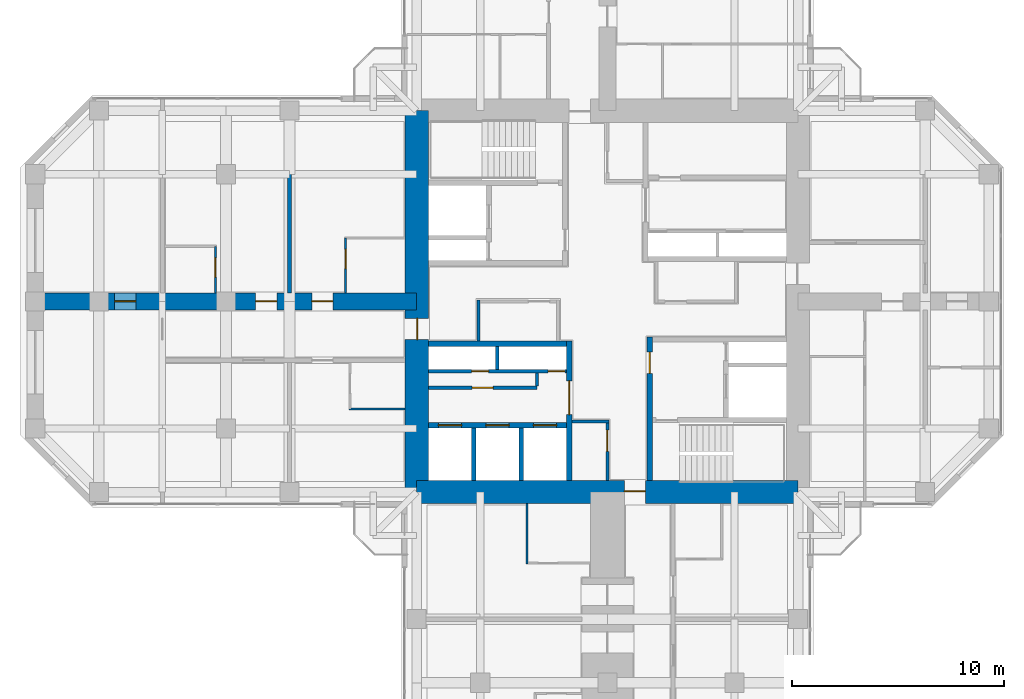
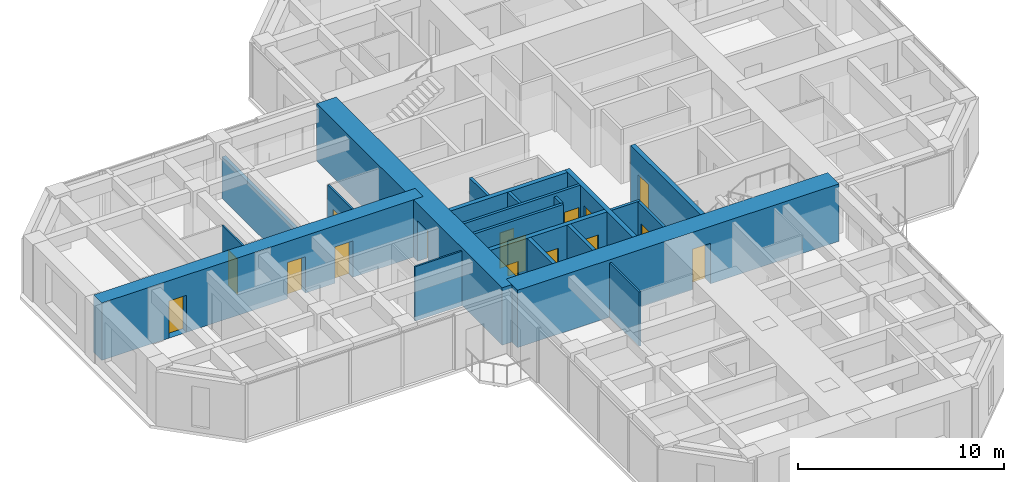
# One storey, part 9 of 14: 21 walls, 16 doors, 16 openings.
"""IFC4 building model written with IfcOpenShell, lengths in metres."""

from ifc_helpers import new_model, si_unit, direction, frame, frame_2d, origin, place, context, subcontext, project, spatial, rectangle, extrude, material, layer, layer_set, constituent, constituent_set, type_object, element, fill, save


model = new_model("IFC4")

# Units and contexts
model_context = context("Model", 3, precision=1e-05, world=origin(), true_north=direction((0.0, 1.0)))
body_context = subcontext(model_context, "Body", "Model", "MODEL_VIEW")
ifc_project = project(units=[si_unit("LENGTHUNIT", "METRE"), si_unit("AREAUNIT", "SQUARE_METRE"), si_unit("VOLUMEUNIT", "CUBIC_METRE"), si_unit("PLANEANGLEUNIT", "RADIAN"), si_unit("MASSUNIT", "GRAM", prefix="KILO")], contexts=[model_context])

# Site, building, storey
site_placement = place(None, origin())
site = spatial("IfcSite", under=ifc_project, at=site_placement, CompositionType="ELEMENT")
building_placement = place(site_placement, origin())
building = spatial("IfcBuilding", under=site, at=building_placement, Name="Torre Cruceta", CompositionType="ELEMENT")
storey_placement = place(building_placement, frame((0.0, 0.0, 210.300048828125)))
storey = spatial("IfcBuildingStorey", under=building, at=storey_placement, Name="L53", CompositionType="ELEMENT", Elevation=210.300048828125)

# Walls
ifc_material_1 = material(Name="Water-resistant plasterboard on steel studs", Category="steel")
ifc_layer_1 = layer(ifc_material_1, 0.10009765625)
ifc_layer_set_1 = layer_set([ifc_layer_1], Name="Water-resistant plasterboard on steel studs")
wall_type_1 = type_object("IfcWallType", Name="BATHROOM WALL 100", PredefinedType="PARTITIONING", material=ifc_layer_set_1)
wall_1_placement = place(storey_placement, frame((-3.800048828125, -9.550048828125, 0.0), z_axis=(0.0, 0.0, 1.0), x_axis=(0.0, -1.0, 0.0)))
element("IfcWall", 1, at=wall_1_placement, inside=storey, type_object=wall_type_1, Name="PT4 L53-S-U1RBB", PredefinedType="PARTITIONING", context=body_context, shape_type="SweptSolid", body=[
    extrude(rectangle(XDim=2.849853515625, YDim=0.10009765625, at=frame_2d((1.4248046875, 0.0))), origin(), (0.0, 0.0, 1.0), 3.219970703125),
])
wall_2_placement = place(storey_placement, frame((-9.550048828125, -5.074951171875, 0.0), z_axis=(0.0, 0.0, 1.0), x_axis=(-1.0, 0.0, 0.0)))
element("IfcWall", 2, at=wall_2_placement, inside=storey, type_object=wall_type_1, Name="PT4 L53-W-U1LBB", PredefinedType="PARTITIONING", context=body_context, shape_type="SweptSolid", body=[
    extrude(rectangle(XDim=2.64990234375, YDim=0.10009765625, at=frame_2d((1.324951171875, 0.0))), origin(), (0.0, 0.0, 1.0), 3.219970703125),
])

# Wall, opening, door
wall_3_placement = place(storey_placement, frame((-12.35009765625, 3.0, 0.0), z_axis=(0.0, 0.0, 1.0), x_axis=(0.0, -1.0, 0.0)))
wall_3 = element("IfcWall", 3, at=wall_3_placement, inside=storey, type_object=wall_type_1, Name="PT4 L53-W-U1RBS", PredefinedType="PARTITIONING", context=body_context, shape_type="SweptSolid", body=[
    extrude(rectangle(XDim=2.60009765625, YDim=0.10009765625, at=frame_2d((1.300048828125, 0.0))), origin(), (0.0, 0.0, 1.0), 3.219970703125),
])
opening_1_placement = place(wall_3_placement, frame((0.550048828125, 0.0, 0.0)))
opening_1 = element("IfcOpeningElement", 4, at=opening_1_placement, cuts=wall_3, Name="Opening D7", PredefinedType="OPENING", context=body_context, shape_type="SweptSolid", body=[
    extrude(rectangle(XDim=0.89990234375, YDim=2.10009765625, at=frame_2d((0.449951171875, 1.050048828125))), frame((0.0, 0.06005859375, 0.0), z_axis=(0.0, -1.0, 0.0), x_axis=(1.0, 0.0, 0.0)), (0.0, 0.0, 1.0), 0.1201171875),
])
ifc_material_2 = material(Name="Timber door", Category="wood")
door_type_1 = type_object("IfcDoorType", Name="BATHROOM DOOR 900X2100", OperationType="SINGLE_SWING_LEFT", PredefinedType="DOOR", material=ifc_material_2)
door_1_placement = place(opening_1_placement, origin())
door_1 = element("IfcDoor", 5, at=door_1_placement, inside=storey, type_object=door_type_1, Name="D7 L53-W-U1RBS-D1", OperationType="SINGLE_SWING_LEFT", OverallHeight=2.10009765625, OverallWidth=0.89990234375, PredefinedType="DOOR", context=body_context, shape_type="SweptSolid", body=[
    extrude(rectangle(XDim=0.89990234375, YDim=2.10009765625, at=frame_2d((0.449951171875, 1.050048828125))), frame((0.0, 0.02490234375, 0.0), z_axis=(0.0, -1.0, 0.0), x_axis=(1.0, 0.0, 0.0)), (0.0, 0.0, 1.0), 0.050048828125),
])
fill(opening_1, door_1)

wall_4_placement = place(storey_placement, frame((-18.5, 2.60009765625, 0.0), z_axis=(0.0, 0.0, 1.0), x_axis=(0.0, -1.0, 0.0)))
wall_4 = element("IfcWall", 6, at=wall_4_placement, inside=storey, type_object=wall_type_1, Name="PT4 L53-W-U2RBS", PredefinedType="PARTITIONING", context=body_context, shape_type="SweptSolid", body=[
    extrude(rectangle(XDim=2.2001953125, YDim=0.10009765625, at=frame_2d((1.10009765625, 0.0))), origin(), (0.0, 0.0, 1.0), 3.219970703125),
])
opening_2_placement = place(wall_4_placement, frame((0.550048828125, 0.0, 0.0)))
opening_2 = element("IfcOpeningElement", 7, at=opening_2_placement, cuts=wall_4, Name="Opening D7", PredefinedType="OPENING", context=body_context, shape_type="SweptSolid", body=[
    extrude(rectangle(XDim=0.89990234375, YDim=2.10009765625, at=frame_2d((0.449951171875, 1.050048828125))), frame((0.0, 0.06005859375, 0.0), z_axis=(0.0, -1.0, 0.0), x_axis=(1.0, 0.0, 0.0)), (0.0, 0.0, 1.0), 0.1201171875),
])
door_2_placement = place(opening_2_placement, frame((0.89990234375, 0.0, 0.0), z_axis=(0.0, 0.0, 1.0), x_axis=(-1.0, 0.0, 0.0)))
door_2 = element("IfcDoor", 8, at=door_2_placement, inside=storey, type_object=door_type_1, Name="D7 L53-W-U2RBS-D1", OperationType="SINGLE_SWING_RIGHT", OverallHeight=2.10009765625, OverallWidth=0.89990234375, PredefinedType="DOOR", context=body_context, shape_type="SweptSolid", body=[
    extrude(rectangle(XDim=0.89990234375, YDim=2.10009765625, at=frame_2d((0.449951171875, 1.050048828125))), frame((0.0, 0.025146484375, 0.0), z_axis=(0.0, -1.0, 0.0), x_axis=(1.0, 0.0, 0.0)), (0.0, 0.0, 1.0), 0.050048828125),
])
fill(opening_2, door_2)

ifc_material_3 = material(Name="Concrete G60 (fck 60 MPa)", Category="concrete")
ifc_layer_2 = layer(ifc_material_3, 0.25)
ifc_layer_set_2 = layer_set([ifc_layer_2], Name="Concrete G60 (fck 60 MPa)")
wall_type_2 = type_object("IfcWallType", Name="CORE INNER WALL 250 G60", PredefinedType="SHEAR", material=ifc_layer_set_2)
wall_5_placement = place(storey_placement, frame((-1.800048828125, -1.875, 0.0), z_axis=(0.0, 0.0, 1.0), x_axis=(0.0, -1.0, 0.0)))
wall_5 = element("IfcWall", 9, at=wall_5_placement, inside=storey, type_object=wall_type_2, Name="CW4 L53 SW-CU", PredefinedType="SHEAR", context=body_context, shape_type="SweptSolid", body=[
    extrude(rectangle(XDim=6.574951171875, YDim=0.25, at=frame_2d((3.28759765625, 0.0))), origin(), (0.0, 0.0, 1.0), 3.39990234375),
])
opening_3_placement = place(wall_5_placement, frame((1.875, 0.0, 0.0)))
opening_3 = element("IfcOpeningElement", 10, at=opening_3_placement, cuts=wall_5, Name="Opening D8", PredefinedType="OPENING", context=body_context, shape_type="SweptSolid", body=[
    extrude(rectangle(XDim=1.60009765625, YDim=2.39990234375, at=frame_2d((0.800048828125, 1.199951171875))), frame((0.0, 0.135009765625, 0.0), z_axis=(0.0, -1.0, 0.0), x_axis=(1.0, 0.0, 0.0)), (0.0, 0.0, 1.0), 0.27001953125),
])
ifc_material_4 = material(Name="Steel DX51D", Category="steel")
ifc_constituent_1 = constituent(ifc_material_4, Name="Leaf and frame")
ifc_material_5 = material(Name="Polyester powder coating", Category="paint")
ifc_constituent_2 = constituent(ifc_material_5, Name="Finish")
ifc_material_6 = material(Name="Fire-resisting glass", Category="glass")
ifc_constituent_3 = constituent(ifc_material_6, Name="Vision panel")
ifc_constituent_set_1 = constituent_set(constituents=[ifc_constituent_1, ifc_constituent_2, ifc_constituent_3], Name="Steel fire door with vision panels")
door_type_2 = type_object("IfcDoorType", Name="LIFT LOBBY DOUBLE DOOR 1600X2400", OperationType="DOUBLE_DOOR_DOUBLE_SWING", PredefinedType="DOOR", material=ifc_constituent_set_1)
door_3_placement = place(opening_3_placement, origin())
door_3 = element("IfcDoor", 11, at=door_3_placement, inside=storey, type_object=door_type_2, Name="D8 L53 SW-LOBBY", OperationType="DOUBLE_DOOR_DOUBLE_SWING", OverallHeight=2.39990234375, OverallWidth=1.60009765625, PredefinedType="DOOR", context=body_context, shape_type="SweptSolid", body=[
    extrude(rectangle(XDim=1.60009765625, YDim=2.39990234375, at=frame_2d((0.800048828125, 1.199951171875))), frame((0.0, 0.02490234375, 0.0), z_axis=(0.0, -1.0, 0.0), x_axis=(1.0, 0.0, 0.0)), (0.0, 0.0, 1.0), 0.050048828125),
])
fill(opening_3, door_3)

# Wall
wall_6_placement = place(storey_placement, frame((-1.925048828125, -2.0, 0.0), z_axis=(0.0, 0.0, 1.0), x_axis=(-1.0, 0.0, 0.0)))
element("IfcWall", 12, at=wall_6_placement, inside=storey, type_object=wall_type_2, Name="CW4 L53 SW-CV", PredefinedType="SHEAR", context=body_context, shape_type="SweptSolid", body=[
    extrude(rectangle(XDim=6.52490234375, YDim=0.25, at=frame_2d((3.262451171875, 0.0))), origin(), (0.0, 0.0, 1.0), 3.39990234375),
])

# Wall, openings, doors
wall_7_placement = place(storey_placement, frame((-1.925048828125, -5.85009765625, 0.0), z_axis=(0.0, 0.0, 1.0), x_axis=(-1.0, 0.0, 0.0)))
wall_7 = element("IfcWall", 13, at=wall_7_placement, inside=storey, type_object=wall_type_2, Name="CW4 L53 SW-LV", PredefinedType="SHEAR", context=body_context, shape_type="SweptSolid", body=[
    extrude(rectangle(XDim=6.52490234375, YDim=0.25, at=frame_2d((3.262451171875, 0.0))), origin(), (0.0, 0.0, 1.0), 3.39990234375),
])
opening_4_placement = place(wall_7_placement, frame((0.470947265625, 0.0, 0.0)))
opening_4 = element("IfcOpeningElement", 14, at=opening_4_placement, cuts=wall_7, Name="Opening LD1", PredefinedType="OPENING", context=body_context, shape_type="SweptSolid", body=[
    extrude(rectangle(XDim=1.10009765625, YDim=2.199951171875, at=frame_2d((0.550048828125, 1.10009765625))), frame((0.0, 0.135009765625, 0.0), z_axis=(0.0, -1.0, 0.0), x_axis=(1.0, 0.0, 0.0)), (0.0, 0.0, 1.0), 0.27001953125),
])
opening_5_placement = place(wall_7_placement, frame((2.71240234375, 0.0, 0.0)))
opening_5 = element("IfcOpeningElement", 15, at=opening_5_placement, cuts=wall_7, Name="Opening LD1", PredefinedType="OPENING", context=body_context, shape_type="SweptSolid", body=[
    extrude(rectangle(XDim=1.10009765625, YDim=2.199951171875, at=frame_2d((0.550048828125, 1.10009765625))), frame((0.0, 0.135009765625, 0.0), z_axis=(0.0, -1.0, 0.0), x_axis=(1.0, 0.0, 0.0)), (0.0, 0.0, 1.0), 0.27001953125),
])
opening_6_placement = place(wall_7_placement, frame((4.9541015625, 0.0, 0.0)))
opening_6 = element("IfcOpeningElement", 16, at=opening_6_placement, cuts=wall_7, Name="Opening LD1", PredefinedType="OPENING", context=body_context, shape_type="SweptSolid", body=[
    extrude(rectangle(XDim=1.10009765625, YDim=2.199951171875, at=frame_2d((0.550048828125, 1.10009765625))), frame((0.0, 0.135009765625, 0.0), z_axis=(0.0, -1.0, 0.0), x_axis=(1.0, 0.0, 0.0)), (0.0, 0.0, 1.0), 0.27001953125),
])
ifc_material_7 = material(Name="Stainless steel 1.4401", Category="steel")
door_type_3 = type_object("IfcDoorType", Name="LIFT LANDING DOOR 1100X2200", OperationType="DOUBLE_DOOR_SLIDING", PredefinedType="DOOR", material=ifc_material_7)
door_4_placement = place(opening_4_placement, origin())
door_4 = element("IfcDoor", 17, at=door_4_placement, inside=storey, type_object=door_type_3, Name="Lift landing door R1", OperationType="DOUBLE_DOOR_SLIDING", OverallHeight=2.199951171875, OverallWidth=1.10009765625, PredefinedType="DOOR", context=body_context, shape_type="SweptSolid", body=[
    extrude(rectangle(XDim=1.10009765625, YDim=2.199951171875, at=frame_2d((0.550048828125, 1.10009765625))), frame((0.0, 0.02490234375, 0.0), z_axis=(0.0, -1.0, 0.0), x_axis=(1.0, 0.0, 0.0)), (0.0, 0.0, 1.0), 0.050048828125),
])
fill(opening_4, door_4)
door_5_placement = place(opening_5_placement, origin())
door_5 = element("IfcDoor", 18, at=door_5_placement, inside=storey, type_object=door_type_3, Name="Lift landing door R2", OperationType="DOUBLE_DOOR_SLIDING", OverallHeight=2.199951171875, OverallWidth=1.10009765625, PredefinedType="DOOR", context=body_context, shape_type="SweptSolid", body=[
    extrude(rectangle(XDim=1.10009765625, YDim=2.199951171875, at=frame_2d((0.550048828125, 1.10009765625))), frame((0.0, 0.02490234375, 0.0), z_axis=(0.0, -1.0, 0.0), x_axis=(1.0, 0.0, 0.0)), (0.0, 0.0, 1.0), 0.050048828125),
])
fill(opening_5, door_5)
door_6_placement = place(opening_6_placement, origin())
door_6 = element("IfcDoor", 19, at=door_6_placement, inside=storey, type_object=door_type_3, Name="Lift landing door R3", OperationType="DOUBLE_DOOR_SLIDING", OverallHeight=2.199951171875, OverallWidth=1.10009765625, PredefinedType="DOOR", context=body_context, shape_type="SweptSolid", body=[
    extrude(rectangle(XDim=1.10009765625, YDim=2.199951171875, at=frame_2d((0.550048828125, 1.10009765625))), frame((0.0, 0.02490234375, 0.0), z_axis=(0.0, -1.0, 0.0), x_axis=(1.0, 0.0, 0.0)), (0.0, 0.0, 1.0), 0.050048828125),
])
fill(opening_6, door_6)

# Wall, opening, door
wall_8_placement = place(storey_placement, frame((2.0, -1.675048828125, 0.0), z_axis=(0.0, 0.0, 1.0), x_axis=(0.0, -1.0, 0.0)))
wall_8 = element("IfcWall", 20, at=wall_8_placement, inside=storey, type_object=wall_type_2, Name="CW4 L53 SE-CU", PredefinedType="SHEAR", context=body_context, shape_type="SweptSolid", body=[
    extrude(rectangle(XDim=6.77490234375, YDim=0.25, at=frame_2d((3.387451171875, 0.0))), origin(), (0.0, 0.0, 1.0), 3.39990234375),
])
opening_7_placement = place(wall_8_placement, frame((0.72509765625, 0.0, 0.0)))
opening_7 = element("IfcOpeningElement", 21, at=opening_7_placement, cuts=wall_8, Name="Opening D3", PredefinedType="OPENING", context=body_context, shape_type="SweptSolid", body=[
    extrude(rectangle(XDim=1.0, YDim=2.10009765625, at=frame_2d((0.5, 1.050048828125))), frame((0.0, 0.135009765625, 0.0), z_axis=(0.0, -1.0, 0.0), x_axis=(1.0, 0.0, 0.0)), (0.0, 0.0, 1.0), 0.27001953125),
])
ifc_material_8 = material(Name="Steel DX51D", Category="steel")
ifc_constituent_4 = constituent(ifc_material_8, Name="Leaf and frame")
ifc_material_9 = material(Name="Polyester powder coating", Category="paint")
ifc_constituent_5 = constituent(ifc_material_9, Name="Finish")
ifc_constituent_set_2 = constituent_set(constituents=[ifc_constituent_4, ifc_constituent_5], Name="Steel fire door")
door_type_4 = type_object("IfcDoorType", Name="FIRE DOOR 1000X2100", OperationType="SINGLE_SWING_LEFT", PredefinedType="DOOR", material=ifc_constituent_set_2)
door_7_placement = place(opening_7_placement, origin())
door_7 = element("IfcDoor", 22, at=door_7_placement, inside=storey, type_object=door_type_4, Name="D3 L53 SE-LOBBY", OperationType="SINGLE_SWING_LEFT", OverallHeight=2.10009765625, OverallWidth=1.0, PredefinedType="DOOR", context=body_context, shape_type="SweptSolid", body=[
    extrude(rectangle(XDim=1.0, YDim=2.10009765625, at=frame_2d((0.5, 1.050048828125))), frame((0.0, 0.02490234375, 0.0), z_axis=(0.0, -1.0, 0.0), x_axis=(1.0, 0.0, 0.0)), (0.0, 0.0, 1.0), 0.050048828125),
])
fill(opening_7, door_7)

ifc_material_10 = material(Name="Concrete G60 (fck 60 MPa)", Category="concrete")
ifc_layer_3 = layer(ifc_material_10, 1.10009765625)
ifc_layer_set_3 = layer_set([ifc_layer_3], Name="Concrete G60 (fck 60 MPa)")
wall_type_3 = type_object("IfcWallType", Name="CORE WALL 1100 G60", PredefinedType="SHEAR", material=ifc_layer_set_3)
wall_9_placement = place(storey_placement, frame((-9.0, -9.0, 0.0), z_axis=(0.0, 0.0, 1.0), x_axis=(1.0, 0.0, 0.0)))
wall_9 = element("IfcWall", 23, at=wall_9_placement, inside=storey, type_object=wall_type_3, Name="CW2 L53 CW-S", PredefinedType="SHEAR", context=body_context, shape_type="SweptSolid", body=[
    extrude(rectangle(XDim=18.0, YDim=1.10009765625, at=frame_2d((9.0, 0.0))), origin(), (0.0, 0.0, 1.0), 3.39990234375),
])
opening_8_placement = place(wall_9_placement, frame((9.800048828125, 0.0, 0.0)))
opening_8 = element("IfcOpeningElement", 24, at=opening_8_placement, cuts=wall_9, Name="Opening D4", PredefinedType="OPENING", context=body_context, shape_type="SweptSolid", body=[
    extrude(rectangle(XDim=1.0, YDim=2.39990234375, at=frame_2d((0.5, 1.199951171875))), frame((0.0, 0.56005859375, 0.0), z_axis=(0.0, -1.0, 0.0), x_axis=(1.0, 0.0, 0.0)), (0.0, 0.0, 1.0), 1.1201171875),
])
ifc_material_11 = material(Name="Steel DX51D", Category="steel")
ifc_constituent_6 = constituent(ifc_material_11, Name="Leaf and frame")
ifc_material_12 = material(Name="Polyester powder coating", Category="paint")
ifc_constituent_7 = constituent(ifc_material_12, Name="Finish")
ifc_constituent_set_3 = constituent_set(constituents=[ifc_constituent_6, ifc_constituent_7], Name="Steel fire door")
door_type_5 = type_object("IfcDoorType", Name="CORE ARM DOOR 1000X2400", OperationType="SINGLE_SWING_RIGHT", PredefinedType="DOOR", material=ifc_constituent_set_3)
door_8_placement = place(opening_8_placement, origin())
door_8 = element("IfcDoor", 25, at=door_8_placement, inside=storey, type_object=door_type_5, Name="D4 L53 CW-S", OperationType="SINGLE_SWING_RIGHT", OverallHeight=2.39990234375, OverallWidth=1.0, PredefinedType="DOOR", context=body_context, shape_type="SweptSolid", body=[
    extrude(rectangle(XDim=1.0, YDim=2.39990234375, at=frame_2d((0.5, 1.199951171875))), frame((0.0, 0.05517578125, 0.0), z_axis=(0.0, -1.0, 0.0), x_axis=(1.0, 0.0, 0.0)), (0.0, 0.0, 1.0), 0.050048828125),
])
fill(opening_8, door_8)

wall_10_placement = place(storey_placement, frame((-9.0, 9.0, 0.0), z_axis=(0.0, 0.0, 1.0), x_axis=(0.0, -1.0, 0.0)))
wall_10 = element("IfcWall", 26, at=wall_10_placement, inside=storey, type_object=wall_type_3, Name="CW2 L53 CW-W", PredefinedType="SHEAR", context=body_context, shape_type="SweptSolid", body=[
    extrude(rectangle(XDim=18.0, YDim=1.10009765625, at=frame_2d((9.0, 0.0))), origin(), (0.0, 0.0, 1.0), 3.39990234375),
])
opening_9_placement = place(wall_10_placement, frame((9.800048828125, 0.0, 0.0)))
opening_9 = element("IfcOpeningElement", 27, at=opening_9_placement, cuts=wall_10, Name="Opening D4", PredefinedType="OPENING", context=body_context, shape_type="SweptSolid", body=[
    extrude(rectangle(XDim=1.0, YDim=2.39990234375, at=frame_2d((0.5, 1.199951171875))), frame((0.0, 0.56005859375, 0.0), z_axis=(0.0, -1.0, 0.0), x_axis=(1.0, 0.0, 0.0)), (0.0, 0.0, 1.0), 1.1201171875),
])
door_9_placement = place(opening_9_placement, origin())
door_9 = element("IfcDoor", 28, at=door_9_placement, inside=storey, type_object=door_type_5, Name="D4 L53 CW-W", OperationType="SINGLE_SWING_RIGHT", OverallHeight=2.39990234375, OverallWidth=1.0, PredefinedType="DOOR", context=body_context, shape_type="SweptSolid", body=[
    extrude(rectangle(XDim=1.0, YDim=2.39990234375, at=frame_2d((0.5, 1.199951171875))), frame((0.0, 0.05517578125, 0.0), z_axis=(0.0, -1.0, 0.0), x_axis=(1.0, 0.0, 0.0)), (0.0, 0.0, 1.0), 0.050048828125),
])
fill(opening_9, door_9)

# Walls
ifc_material_13 = material(Name="Concrete G35 (fck 35 MPa)", Category="concrete")
ifc_layer_4 = layer(ifc_material_13, 0.199951171875)
ifc_layer_set_4 = layer_set([ifc_layer_4], Name="Concrete G35 (fck 35 MPa)")
wall_type_4 = type_object("IfcWallType", Name="LIFT SHAFT WALL 200", PredefinedType="PARTITIONING", material=ifc_layer_set_4)
for number, where, z_axis, x_axis, name in (
    (29, (-4.066650390625, -5.97509765625, 0.0), (0.0, 0.0, 1.0), (0.0, -1.0, 0.0), "SW1 L53 SW-LS1"),
    (30, (-6.308349609375, -5.97509765625, 0.0), (0.0, 0.0, 1.0), (0.0, -1.0, 0.0), "SW1 L53 SW-LS2"),
):
    element("IfcWall", number, at=place(storey_placement, frame(where, z_axis=z_axis, x_axis=x_axis)), inside=storey, type_object=wall_type_4, Name=name, PredefinedType="PARTITIONING", context=body_context, shape_type="SweptSolid", body=[
        extrude(rectangle(XDim=2.474853515625, YDim=0.199951171875, at=frame_2d((1.2373046875, 0.0))), origin(), (0.0, 0.0, 1.0), 3.39990234375),
    ])
ifc_material_14 = material(Name="Plasterboard on steel studs", Category="steel")
ifc_layer_5 = layer(ifc_material_14, 0.14990234375)
ifc_layer_set_5 = layer_set([ifc_layer_5], Name="Plasterboard on steel studs")
wall_type_5 = type_object("IfcWallType", Name="PARTITION 150", PredefinedType="PARTITIONING", material=ifc_layer_set_5)
wall_11_placement = place(storey_placement, frame((-6.074951171875, 0.074951171875, 0.0), z_axis=(0.0, 0.0, 1.0), x_axis=(0.0, -1.0, 0.0)))
element("IfcWall", 31, at=wall_11_placement, inside=storey, type_object=wall_type_5, Name="PT1 L53-CORE-LEGW-S-W3", PredefinedType="PARTITIONING", context=body_context, shape_type="SweptSolid", body=[
    extrude(rectangle(XDim=1.949951171875, YDim=0.14990234375, at=frame_2d((0.97509765625, 0.0))), origin(), (0.0, 0.0, 1.0), 3.219970703125),
])

# Wall, opening, door
wall_12_placement = place(storey_placement, frame((0.0, -5.675048828125, 0.0), z_axis=(0.0, 0.0, 1.0), x_axis=(0.0, -1.0, 0.0)))
wall_12 = element("IfcWall", 32, at=wall_12_placement, inside=storey, type_object=wall_type_5, Name="PT1 L53-CORE-LEGS-W-W1", PredefinedType="PARTITIONING", context=body_context, shape_type="SweptSolid", body=[
    extrude(rectangle(XDim=2.77490234375, YDim=0.14990234375, at=frame_2d((1.387451171875, 0.0))), origin(), (0.0, 0.0, 1.0), 3.219970703125),
])
opening_10_placement = place(wall_12_placement, frame((0.39990234375, 0.0, 0.0)))
opening_10 = element("IfcOpeningElement", 33, at=opening_10_placement, cuts=wall_12, Name="Opening D3", PredefinedType="OPENING", context=body_context, shape_type="SweptSolid", body=[
    extrude(rectangle(XDim=1.0, YDim=2.10009765625, at=frame_2d((0.5, 1.050048828125))), frame((0.0, 0.0849609375, 0.0), z_axis=(0.0, -1.0, 0.0), x_axis=(1.0, 0.0, 0.0)), (0.0, 0.0, 1.0), 0.169921875),
])
door_10_placement = place(opening_10_placement, frame((1.0, 0.0, 0.0), z_axis=(0.0, 0.0, 1.0), x_axis=(-1.0, 0.0, 0.0)))
door_10 = element("IfcDoor", 34, at=door_10_placement, inside=storey, type_object=door_type_4, Name="D3 L53-CORE-LEGS-W-W1-D1", OperationType="SINGLE_SWING_RIGHT", OverallHeight=2.10009765625, OverallWidth=1.0, PredefinedType="DOOR", context=body_context, shape_type="SweptSolid", body=[
    extrude(rectangle(XDim=1.0, YDim=2.10009765625, at=frame_2d((0.5, 1.050048828125))), frame((0.0, 0.025146484375, 0.0), z_axis=(0.0, -1.0, 0.0), x_axis=(1.0, 0.0, 0.0)), (0.0, 0.0, 1.0), 0.050048828125),
])
fill(opening_10, door_10)

# Wall
wall_13_placement = place(storey_placement, frame((-1.675048828125, -5.675048828125, 0.0), z_axis=(0.0, 0.0, 1.0), x_axis=(1.0, 0.0, 0.0)))
element("IfcWall", 35, at=wall_13_placement, inside=storey, type_object=wall_type_5, Name="PT1 L53-CORE-LEGS-W-W2", PredefinedType="PARTITIONING", context=body_context, shape_type="SweptSolid", body=[
    extrude(rectangle(XDim=1.75, YDim=0.14990234375, at=frame_2d((0.875, 0.0))), origin(), (0.0, 0.0, 1.0), 3.219970703125),
])

# Wall, opening, door
wall_14_placement = place(storey_placement, frame((-3.324951171875, -4.074951171875, 0.0), z_axis=(0.0, 0.0, 1.0), x_axis=(-1.0, 0.0, 0.0)))
wall_14 = element("IfcWall", 36, at=wall_14_placement, inside=storey, type_object=wall_type_5, Name="PT1 L53-CORE-SW-CUPBOARD", PredefinedType="PARTITIONING", context=body_context, shape_type="SweptSolid", body=[
    extrude(rectangle(XDim=5.125, YDim=0.14990234375, at=frame_2d((2.5625, 0.0))), origin(), (0.0, 0.0, 1.0), 3.219970703125),
])
opening_11_placement = place(wall_14_placement, frame((2.0625, 0.0, 0.0)))
opening_11 = element("IfcOpeningElement", 37, at=opening_11_placement, cuts=wall_14, Name="Opening D19", PredefinedType="OPENING", context=body_context, shape_type="SweptSolid", body=[
    extrude(rectangle(XDim=1.0, YDim=2.10009765625, at=frame_2d((0.5, 1.050048828125))), frame((0.0, 0.0849609375, 0.0), z_axis=(0.0, -1.0, 0.0), x_axis=(1.0, 0.0, 0.0)), (0.0, 0.0, 1.0), 0.169921875),
])
ifc_material_15 = material(Name="Timber fire door", Category="wood")
door_type_6 = type_object("IfcDoorType", Name="CUPBOARD PAIR OF DOORS 1000X2100", OperationType="DOUBLE_DOOR_SINGLE_SWING", PredefinedType="DOOR", material=ifc_material_15)
door_11_placement = place(opening_11_placement, frame((1.0, 0.0, 0.0), z_axis=(0.0, 0.0, 1.0), x_axis=(-1.0, 0.0, 0.0)))
door_11 = element("IfcDoor", 38, at=door_11_placement, inside=storey, type_object=door_type_6, Name="D19 L53-CORE-SW-CUPBOARD-D1", OperationType="DOUBLE_DOOR_SINGLE_SWING", OverallHeight=2.10009765625, OverallWidth=1.0, PredefinedType="DOOR", context=body_context, shape_type="SweptSolid", body=[
    extrude(rectangle(XDim=1.0, YDim=2.10009765625, at=frame_2d((0.5, 1.050048828125))), frame((0.0, 0.025146484375, 0.0), z_axis=(0.0, -1.0, 0.0), x_axis=(1.0, 0.0, 0.0)), (0.0, 0.0, 1.0), 0.050048828125),
])
fill(opening_11, door_11)

# Wall
wall_15_placement = place(storey_placement, frame((-3.324951171875, -3.375, 0.0), z_axis=(0.0, 0.0, 1.0), x_axis=(0.0, -1.0, 0.0)))
element("IfcWall", 39, at=wall_15_placement, inside=storey, type_object=wall_type_5, Name="PT1 L53-CORE-SW-CUPBOARDE", PredefinedType="PARTITIONING", context=body_context, shape_type="SweptSolid", body=[
    extrude(rectangle(XDim=0.625, YDim=0.14990234375, at=frame_2d((0.3125, 0.0))), origin(), (0.0, 0.0, 1.0), 3.219970703125),
])

# Wall, openings, doors
ifc_material_16 = material(Name="Concrete block masonry", Category="masonry")
ifc_layer_6 = layer(ifc_material_16, 0.14990234375)
ifc_layer_set_6 = layer_set([ifc_layer_6], Name="Concrete block masonry")
wall_type_6 = type_object("IfcWallType", Name="RISER WALL 150", PredefinedType="PARTITIONING", material=ifc_layer_set_6)
wall_16_placement = place(storey_placement, frame((-1.925048828125, -3.300048828125, 0.0), z_axis=(0.0, 0.0, 1.0), x_axis=(-1.0, 0.0, 0.0)))
wall_16 = element("IfcWall", 40, at=wall_16_placement, inside=storey, type_object=wall_type_6, Name="SW7 L53 SW-RV", PredefinedType="PARTITIONING", context=body_context, shape_type="SweptSolid", body=[
    extrude(rectangle(XDim=6.52490234375, YDim=0.14990234375, at=frame_2d((3.262451171875, 0.0))), origin(), (0.0, 0.0, 1.0), 3.39990234375),
])
opening_12_placement = place(wall_16_placement, frame((0.074951171875, 0.0, 0.0)))
opening_12 = element("IfcOpeningElement", 41, at=opening_12_placement, cuts=wall_16, Name="Opening D5", PredefinedType="OPENING", context=body_context, shape_type="SweptSolid", body=[
    extrude(rectangle(XDim=0.800048828125, YDim=2.10009765625, at=frame_2d((0.39990234375, 1.050048828125))), frame((0.0, 0.0849609375, 0.0), z_axis=(0.0, -1.0, 0.0), x_axis=(1.0, 0.0, 0.0)), (0.0, 0.0, 1.0), 0.169921875),
])
opening_13_placement = place(wall_16_placement, frame((3.675048828125, 0.0, 0.0)))
opening_13 = element("IfcOpeningElement", 42, at=opening_13_placement, cuts=wall_16, Name="Opening D5", PredefinedType="OPENING", context=body_context, shape_type="SweptSolid", body=[
    extrude(rectangle(XDim=0.800048828125, YDim=2.10009765625, at=frame_2d((0.39990234375, 1.050048828125))), frame((0.0, 0.0849609375, 0.0), z_axis=(0.0, -1.0, 0.0), x_axis=(1.0, 0.0, 0.0)), (0.0, 0.0, 1.0), 0.169921875),
])
ifc_material_17 = material(Name="Steel DX51D", Category="steel")
ifc_constituent_8 = constituent(ifc_material_17, Name="Leaf and frame")
ifc_material_18 = material(Name="Polyester powder coating", Category="paint")
ifc_constituent_9 = constituent(ifc_material_18, Name="Finish")
ifc_constituent_set_4 = constituent_set(constituents=[ifc_constituent_8, ifc_constituent_9], Name="Steel fire door")
door_type_7 = type_object("IfcDoorType", Name="RISER ACCESS DOOR 800X2100", OperationType="SINGLE_SWING_LEFT", PredefinedType="DOOR", material=ifc_constituent_set_4)
door_12_placement = place(opening_12_placement, frame((0.800048828125, 0.0, 0.0), z_axis=(0.0, 0.0, 1.0), x_axis=(-1.0, 0.0, 0.0)))
door_12 = element("IfcDoor", 43, at=door_12_placement, inside=storey, type_object=door_type_7, Name="D5 L53 SW-RISER1", OperationType="SINGLE_SWING_RIGHT", OverallHeight=2.10009765625, OverallWidth=0.800048828125, PredefinedType="DOOR", context=body_context, shape_type="SweptSolid", body=[
    extrude(rectangle(XDim=0.800048828125, YDim=2.10009765625, at=frame_2d((0.400146484375, 1.050048828125))), frame((0.0, 0.025146484375, 0.0), z_axis=(0.0, -1.0, 0.0), x_axis=(1.0, 0.0, 0.0)), (0.0, 0.0, 1.0), 0.050048828125),
])
fill(opening_12, door_12)
door_13_placement = place(opening_13_placement, frame((0.800048828125, 0.0, 0.0), z_axis=(0.0, 0.0, 1.0), x_axis=(-1.0, 0.0, 0.0)))
door_13 = element("IfcDoor", 44, at=door_13_placement, inside=storey, type_object=door_type_7, Name="D5 L53 SW-RISER2", OperationType="SINGLE_SWING_RIGHT", OverallHeight=2.10009765625, OverallWidth=0.800048828125, PredefinedType="DOOR", context=body_context, shape_type="SweptSolid", body=[
    extrude(rectangle(XDim=0.800048828125, YDim=2.10009765625, at=frame_2d((0.400146484375, 1.050048828125))), frame((0.0, 0.025146484375, 0.0), z_axis=(0.0, -1.0, 0.0), x_axis=(1.0, 0.0, 0.0)), (0.0, 0.0, 1.0), 0.050048828125),
])
fill(opening_13, door_13)

# Wall
wall_17_placement = place(storey_placement, frame((-5.199951171875, -2.125, 0.0), z_axis=(0.0, 0.0, 1.0), x_axis=(0.0, -1.0, 0.0)))
element("IfcWall", 45, at=wall_17_placement, inside=storey, type_object=wall_type_6, Name="SW7 L53 SW-RU", PredefinedType="PARTITIONING", context=body_context, shape_type="SweptSolid", body=[
    extrude(rectangle(XDim=1.10009765625, YDim=0.14990234375, at=frame_2d((0.550048828125, 0.0))), origin(), (0.0, 0.0, 1.0), 3.39990234375),
])

# Wall, openings, doors
ifc_material_19 = material(Name="Concrete G60 (fck 60 MPa)", Category="concrete")
ifc_layer_7 = layer(ifc_material_19, 0.800048828125)
ifc_layer_set_7 = layer_set([ifc_layer_7], Name="Concrete G60 (fck 60 MPa)")
wall_type_7 = type_object("IfcWallType", Name="SPINE WALL 800 G60", PredefinedType="SHEAR", material=ifc_layer_set_7)
wall_18_placement = place(storey_placement, frame((-9.0, 0.0, 0.0), z_axis=(0.0, 0.0, 1.0), x_axis=(-1.0, 0.0, 0.0)))
wall_18 = element("IfcWall", 46, at=wall_18_placement, inside=storey, type_object=wall_type_7, Name="SW4 spine wall L53 W", PredefinedType="SHEAR", context=body_context, shape_type="SweptSolid", body=[
    extrude(rectangle(XDim=18.0, YDim=0.800048828125, at=frame_2d((9.0, 0.0))), origin(), (0.0, 0.0, 1.0), 3.39990234375),
])
opening_14_placement = place(wall_18_placement, frame((3.949951171875, 0.0, 0.0)))
opening_14 = element("IfcOpeningElement", 47, at=opening_14_placement, cuts=wall_18, Name="Opening D6", PredefinedType="OPENING", context=body_context, shape_type="SweptSolid", body=[
    extrude(rectangle(XDim=1.0, YDim=2.14990234375, at=frame_2d((0.5, 1.074951171875))), frame((0.0, 0.409912109375, 0.0), z_axis=(0.0, -1.0, 0.0), x_axis=(1.0, 0.0, 0.0)), (0.0, 0.0, 1.0), 0.820068359375),
])
opening_15_placement = place(wall_18_placement, frame((6.60009765625, 0.0, 0.0)))
opening_15 = element("IfcOpeningElement", 48, at=opening_15_placement, cuts=wall_18, Name="Opening D6", PredefinedType="OPENING", context=body_context, shape_type="SweptSolid", body=[
    extrude(rectangle(XDim=1.0, YDim=2.14990234375, at=frame_2d((0.5, 1.074951171875))), frame((0.0, 0.409912109375, 0.0), z_axis=(0.0, -1.0, 0.0), x_axis=(1.0, 0.0, 0.0)), (0.0, 0.0, 1.0), 0.820068359375),
])
opening_16_placement = place(wall_18_placement, frame((13.25, 0.0, 0.0)))
opening_16 = element("IfcOpeningElement", 49, at=opening_16_placement, cuts=wall_18, Name="Opening D14", PredefinedType="OPENING", context=body_context, shape_type="SweptSolid", body=[
    extrude(rectangle(XDim=1.0, YDim=2.199951171875, at=frame_2d((0.5, 1.10009765625))), frame((0.0, 0.409912109375, 0.0), z_axis=(0.0, -1.0, 0.0), x_axis=(1.0, 0.0, 0.0)), (0.0, 0.0, 1.0), 0.820068359375),
])
ifc_material_20 = material(Name="Steel DX51D", Category="steel")
ifc_constituent_10 = constituent(ifc_material_20, Name="Leaf and frame")
ifc_material_21 = material(Name="Polyester powder coating", Category="paint")
ifc_constituent_11 = constituent(ifc_material_21, Name="Finish")
ifc_material_22 = material(Name="Fire-resisting glass", Category="glass")
ifc_constituent_12 = constituent(ifc_material_22, Name="Vision panel")
ifc_constituent_set_5 = constituent_set(constituents=[ifc_constituent_10, ifc_constituent_11, ifc_constituent_12], Name="Steel fire door with vision panel")
door_type_8 = type_object("IfcDoorType", Name="FIRE DOOR VISION PANEL 1000X2200", OperationType="SINGLE_SWING_RIGHT", PredefinedType="DOOR", material=ifc_constituent_set_5)
door_14_placement = place(opening_16_placement, origin())
door_14 = element("IfcDoor", 50, at=door_14_placement, inside=storey, type_object=door_type_8, Name="D14 L53-W-SP3", OperationType="SINGLE_SWING_LEFT", OverallHeight=2.199951171875, OverallWidth=1.0, PredefinedType="DOOR", context=body_context, shape_type="SweptSolid", body=[
    extrude(rectangle(XDim=1.0, YDim=2.199951171875, at=frame_2d((0.5, 1.10009765625))), frame((0.0, 0.02490234375, 0.0), z_axis=(0.0, -1.0, 0.0), x_axis=(1.0, 0.0, 0.0)), (0.0, 0.0, 1.0), 0.050048828125),
])
fill(opening_16, door_14)
ifc_material_23 = material(Name="Timber fire door", Category="wood")
door_type_9 = type_object("IfcDoorType", Name="UNIT ENTRANCE DOOR 1000X2150", OperationType="SINGLE_SWING_LEFT", PredefinedType="DOOR", material=ifc_material_23)
door_15_placement = place(opening_14_placement, frame((1.0, 0.0, 0.0), z_axis=(0.0, 0.0, 1.0), x_axis=(-1.0, 0.0, 0.0)))
door_15 = element("IfcDoor", 51, at=door_15_placement, inside=storey, type_object=door_type_9, Name="D6 L53-W-SP1", OperationType="SINGLE_SWING_RIGHT", OverallHeight=2.14990234375, OverallWidth=1.0, PredefinedType="DOOR", context=body_context, shape_type="SweptSolid", body=[
    extrude(rectangle(XDim=1.0, YDim=2.14990234375, at=frame_2d((0.5, 1.074951171875))), frame((0.0, 0.025146484375, 0.0), z_axis=(0.0, -1.0, 0.0), x_axis=(1.0, 0.0, 0.0)), (0.0, 0.0, 1.0), 0.050048828125),
])
fill(opening_14, door_15)
door_16_placement = place(opening_15_placement, frame((1.0, 0.0, 0.0), z_axis=(0.0, 0.0, 1.0), x_axis=(-1.0, 0.0, 0.0)))
door_16 = element("IfcDoor", 52, at=door_16_placement, inside=storey, type_object=door_type_9, Name="D6 L53-W-SP2", OperationType="SINGLE_SWING_RIGHT", OverallHeight=2.14990234375, OverallWidth=1.0, PredefinedType="DOOR", context=body_context, shape_type="SweptSolid", body=[
    extrude(rectangle(XDim=1.0, YDim=2.14990234375, at=frame_2d((0.5, 1.074951171875))), frame((0.0, 0.025146484375, 0.0), z_axis=(0.0, -1.0, 0.0), x_axis=(1.0, 0.0, 0.0)), (0.0, 0.0, 1.0), 0.050048828125),
])
fill(opening_15, door_16)

# Wall
ifc_material_24 = material(Name="Concrete G25 (fck 25 MPa)", Category="concrete")
ifc_layer_8 = layer(ifc_material_24, 0.199951171875)
ifc_layer_set_8 = layer_set([ifc_layer_8], Name="Concrete G25 (fck 25 MPa)")
wall_type_8 = type_object("IfcWallType", Name="UNIT SEPARATING WALL 200", PredefinedType="SOLIDWALL", material=ifc_layer_set_8)
wall_19_placement = place(storey_placement, frame((-15.0, 8.550048828125, 0.0), z_axis=(0.0, 0.0, 1.0), x_axis=(0.0, -1.0, 0.0)))
element("IfcWall", 53, at=wall_19_placement, inside=storey, type_object=wall_type_8, Name="PT2 L53-W-P1R", PredefinedType="SOLIDWALL", context=body_context, shape_type="SweptSolid", body=[
    extrude(rectangle(XDim=8.150146484375, YDim=0.199951171875, at=frame_2d((4.0751953125, 0.0))), origin(), (0.0, 0.0, 1.0), 2.469970703125),
])

save(model, "model.ifc")
